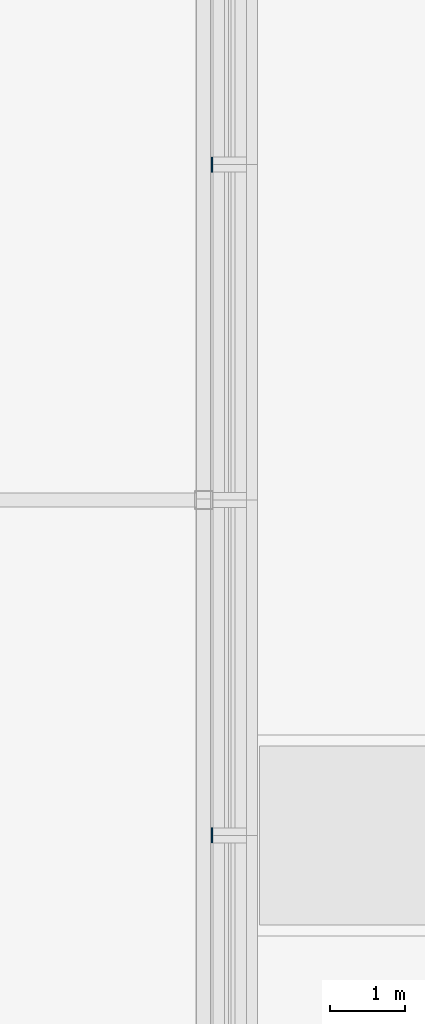
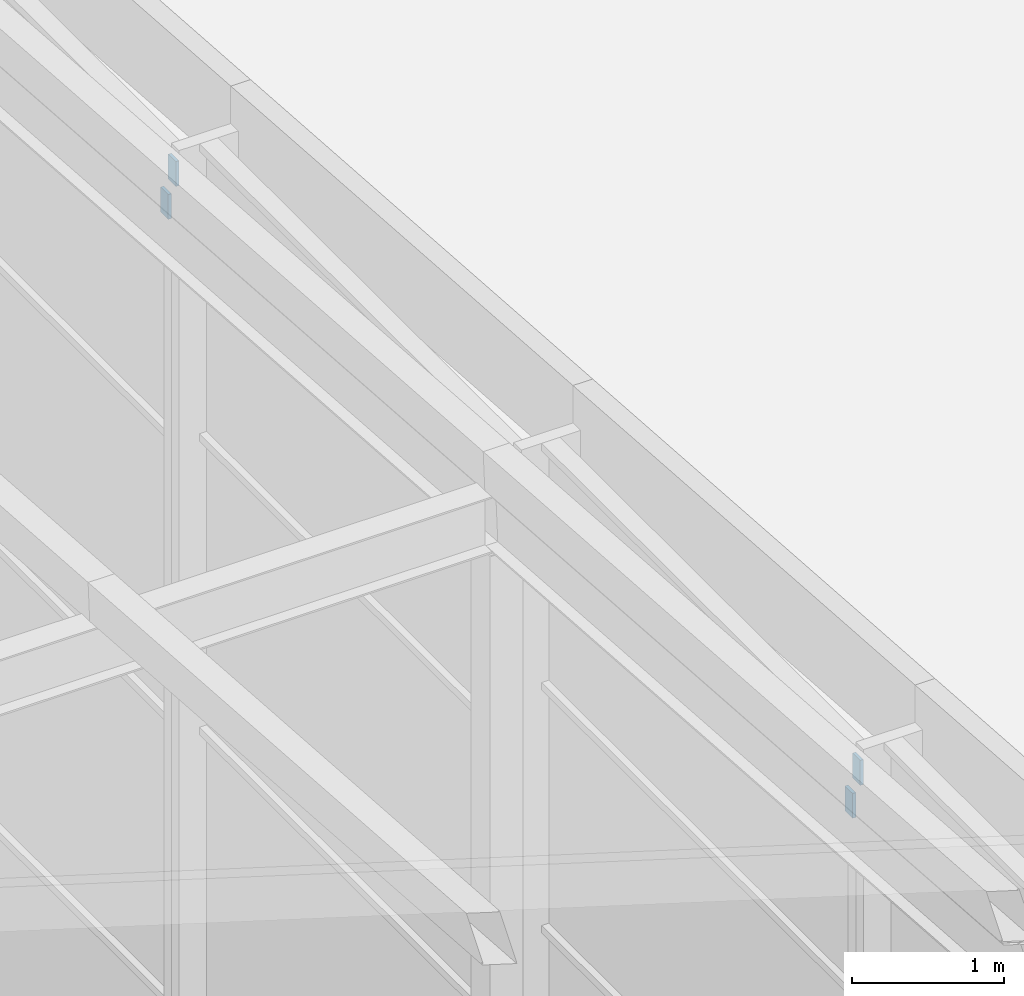
# One storey, part 78 of 84: 4 discrete accessories.
"""IFC4 building model written with IfcOpenShell, lengths in metres."""

from ifc_helpers import new_model, si_unit, direction, frame, origin, origin_2d, place, context, subcontext, project, spatial, rectangle, extrude, material, type_object, element, save


model = new_model("IFC4")

# Units and contexts
model_context = context("Model", 3, precision=1e-05, world=origin(), true_north=direction((0.0, 1.0)))
body_context = subcontext(model_context, "Body", "Model", "MODEL_VIEW")
ifc_project = project(units=[si_unit("LENGTHUNIT", "METRE"), si_unit("AREAUNIT", "SQUARE_METRE"), si_unit("VOLUMEUNIT", "CUBIC_METRE"), si_unit("PLANEANGLEUNIT", "RADIAN"), si_unit("MASSUNIT", "GRAM", prefix="KILO")], contexts=[model_context])

# Site, building, storey
site_placement = place(None, origin())
site = spatial("IfcSite", under=ifc_project, at=site_placement, CompositionType="ELEMENT")
building_placement = place(site_placement, origin())
building = spatial("IfcBuilding", under=site, at=building_placement, Name="Silverbay Arena", CompositionType="ELEMENT")
storey_placement = place(building_placement, frame((0.0, 0.0, 47.10009765625)))
storey = spatial("IfcBuildingStorey", under=building, at=storey_placement, Name="ROOF", CompositionType="ELEMENT", Elevation=47.10009765625)

# Discrete accessories
ifc_material = material(Name="Steel S355", Category="steel")
discrete_accessory_type = type_object("IfcDiscreteAccessoryType", Name="Steel bracket plate", PredefinedType="BRACKET", material=ifc_material)
for number, where, z_axis, x_axis, name in (
    (1, (180.112548828125, 112.449951171875, 10.2451171875), (0.0, 0.0, 1.0), (1.0, 0.0, 0.0), "Curtain wall packing plate"),
    (2, (180.112548828125, 112.550048828125, 9.919921875), (0.0, 0.0, 1.0), (1.0, 0.0, 0.0), "Curtain wall packing plate"),
    (3, (180.112548828125, 121.449951171875, 9.5947265625), (0.0, 0.0, 1.0), (1.0, 0.0, 0.0), "Curtain wall packing plate"),
    (4, (180.112548828125, 121.550048828125, 9.27001953125), (0.0, 0.0, 1.0), (1.0, 0.0, 0.0), "Curtain wall packing plate"),
):
    element("IfcDiscreteAccessory", number, at=place(storey_placement, frame(where, z_axis=z_axis, x_axis=x_axis)), inside=storey, type_object=discrete_accessory_type, Name=name, PredefinedType="BRACKET", context=body_context, shape_type="SweptSolid", body=[
        extrude(rectangle(XDim=0.02490234375, YDim=0.10009765625, at=origin_2d()), origin(), (0.0, 0.0, 1.0), 0.199951171875),
    ])

save(model, "model.ifc")
